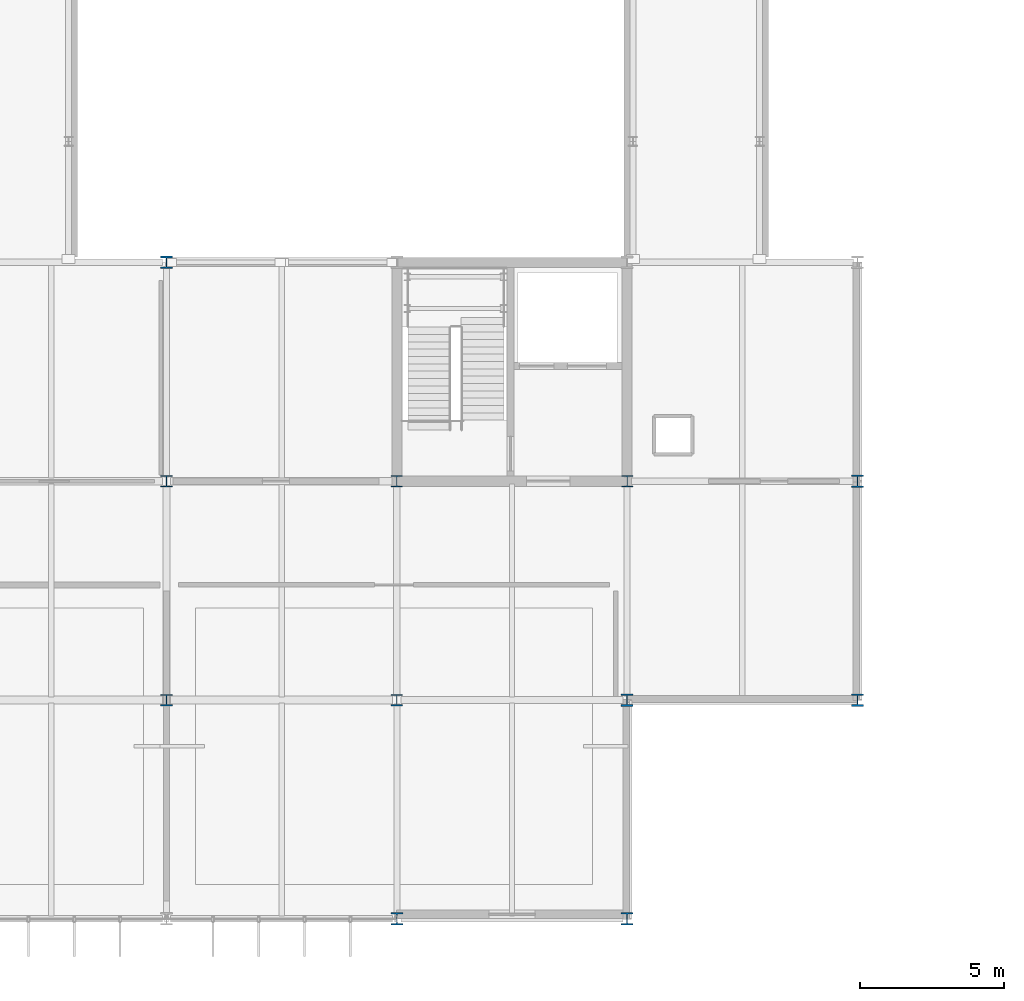
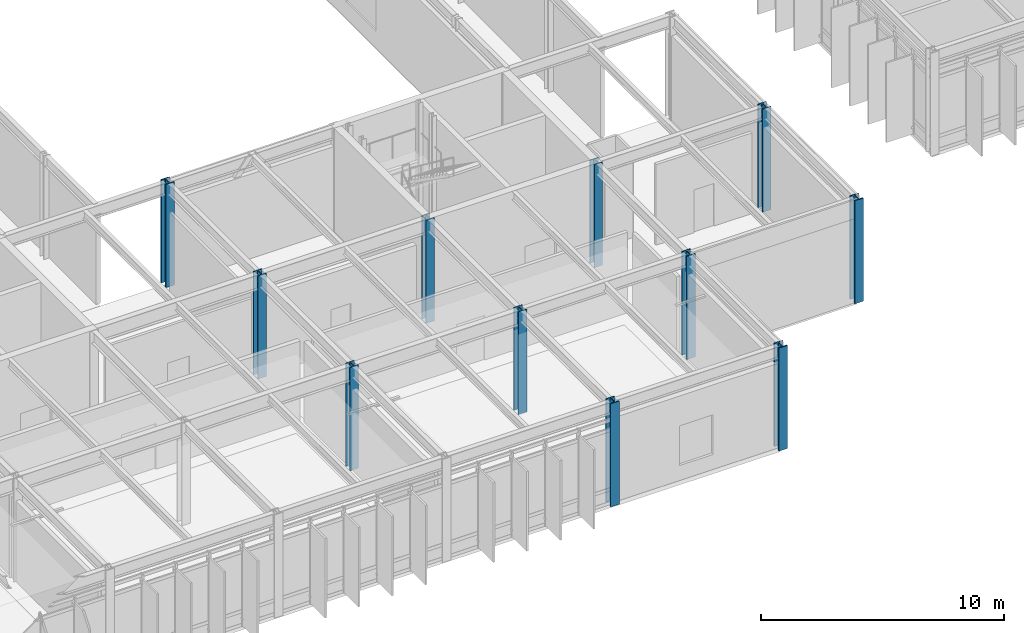
# One storey, part 3 of 94: 11 columns.
"""IFC4 building model written with IfcOpenShell, lengths in metres."""

from ifc_helpers import new_model, si_unit, direction, frame, origin, origin_2d, place, context, subcontext, project, spatial, i_section, extrude, material, material_profile, profile_set, type_object, element, save


model = new_model("IFC4")

# Units and contexts
model_context = context("Model", 3, precision=1e-05, world=origin(), true_north=direction((0.0, 1.0)))
body_context = subcontext(model_context, "Body", "Model", "MODEL_VIEW")
ifc_project = project(units=[si_unit("LENGTHUNIT", "METRE"), si_unit("AREAUNIT", "SQUARE_METRE"), si_unit("VOLUMEUNIT", "CUBIC_METRE"), si_unit("PLANEANGLEUNIT", "RADIAN"), si_unit("MASSUNIT", "GRAM", prefix="KILO")], contexts=[model_context])

# Site, building, storey
site_placement = place(None, origin())
site = spatial("IfcSite", under=ifc_project, at=site_placement, CompositionType="ELEMENT")
building_placement = place(site_placement, origin())
building = spatial("IfcBuilding", under=site, at=building_placement, Name="Zulena Civic Courthouse", CompositionType="ELEMENT")
storey_placement = place(building_placement, frame((0.0, 0.0, 5.39990234375)))
storey = spatial("IfcBuildingStorey", under=building, at=storey_placement, Name="L01", CompositionType="ELEMENT", Elevation=5.39990234375)

# Columns
ifc_material = material(Name="Steel ASTM A992 Grade 50", Category="steel")
ifc_material_profile_1 = material_profile(ifc_material, i_section(OverallWidth=0.40087890625, OverallDepth=0.39892578125, WebThickness=0.02490234375, FlangeThickness=0.03955078125, FilletRadius=0.01513671875, at=origin_2d()), Name="W14X211")
ifc_profile_set_1 = profile_set([ifc_material_profile_1], Name="Steel ASTM A992 Grade 50")
column_type_1 = type_object("IfcColumnType", Name="Col_W14X211", PredefinedType="COLUMN", material=ifc_profile_set_1)
for number, where, z_axis, x_axis, name in (
    (1, (36.0, 7.60009765625, 0.0), (0.0, 0.0, 1.0), (1.0, 0.0, 0.0), "col:V2:L01:36.0:7.6"),
    (2, (36.0, 15.199951171875, 0.0), (0.0, 0.0, 1.0), (1.0, 0.0, 0.0), "col:V2:L01:36.0:15.2"),
    (3, (44.0, 7.60009765625, 0.0), (0.0, 0.0, 1.0), (1.0, 0.0, 0.0), "col:V2:L01:44.0:7.6"),
    (4, (44.0, 15.199951171875, 0.0), (0.0, 0.0, 1.0), (1.0, 0.0, 0.0), "col:V2:L01:44.0:15.2"),
    (5, (52.0, 15.199951171875, 0.0), (0.0, 0.0, 1.0), (1.0, 0.0, 0.0), "col:V2:L01:52.0:15.2"),
):
    element("IfcColumn", number, at=place(storey_placement, frame(where, z_axis=z_axis, x_axis=x_axis)), inside=storey, type_object=column_type_1, Name=name, PredefinedType="COLUMN", context=body_context, shape_type="SweptSolid", body=[
        extrude(i_section(OverallWidth=0.40087890625, OverallDepth=0.39892578125, WebThickness=0.02490234375, FlangeThickness=0.03955078125, FilletRadius=0.01513671875, at=origin_2d()), origin(), (0.0, 0.0, 1.0), 5.18505859375),
    ])
ifc_material_profile_2 = material_profile(ifc_material, i_section(OverallWidth=0.412109375, OverallDepth=0.43505859375, WebThickness=0.035888671875, FlangeThickness=0.057373046875, FilletRadius=0.01513671875, at=origin_2d()), Name="W14X311")
ifc_profile_set_2 = profile_set([ifc_material_profile_2], Name="Steel ASTM A992 Grade 50")
column_type_2 = type_object("IfcColumnType", Name="Col_W14X311", PredefinedType="COLUMN", material=ifc_profile_set_2)
for number, where, z_axis, x_axis, name in (
    (6, (36.0, 22.800048828125, 0.0), (0.0, 0.0, 1.0), (1.0, 0.0, 0.0), "col:V2:L01:36.0:22.8"),
    (7, (44.0, 0.0, 0.0), (0.0, 0.0, 1.0), (1.0, 0.0, 0.0), "col:V2:L01:44.0:0.0"),
    (8, (52.0, 0.0, 0.0), (0.0, 0.0, 1.0), (1.0, 0.0, 0.0), "col:V2:L01:52.0:0.0"),
    (9, (52.0, 7.60009765625, 0.0), (0.0, 0.0, 1.0), (1.0, 0.0, 0.0), "col:V2:L01:52.0:7.6"),
    (10, (60.0, 7.60009765625, 0.0), (0.0, 0.0, 1.0), (1.0, 0.0, 0.0), "col:V2:L01:60.0:7.6"),
    (11, (60.0, 15.199951171875, 0.0), (0.0, 0.0, 1.0), (1.0, 0.0, 0.0), "col:V2:L01:60.0:15.2"),
):
    element("IfcColumn", number, at=place(storey_placement, frame(where, z_axis=z_axis, x_axis=x_axis)), inside=storey, type_object=column_type_2, Name=name, PredefinedType="COLUMN", context=body_context, shape_type="SweptSolid", body=[
        extrude(i_section(OverallWidth=0.412109375, OverallDepth=0.43505859375, WebThickness=0.035888671875, FlangeThickness=0.057373046875, FilletRadius=0.01513671875, at=origin_2d()), origin(), (0.0, 0.0, 1.0), 5.18505859375),
    ])

save(model, "model.ifc")
